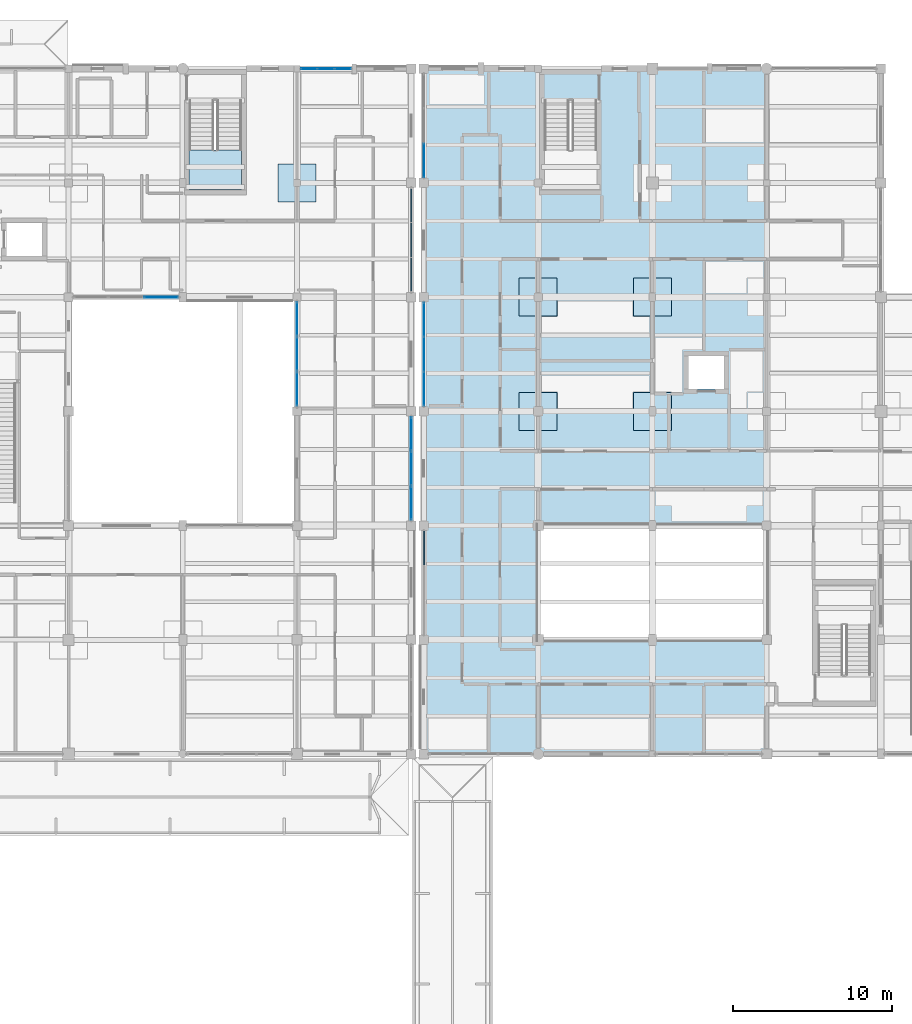
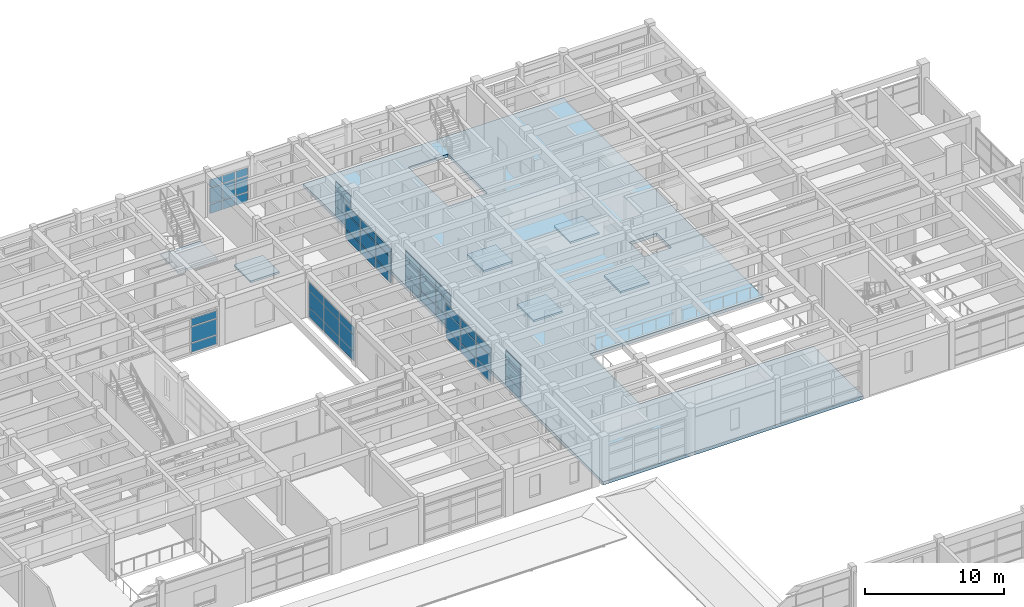
# One storey, part 67 of 110: 54 plates, 7 slabs, 9 elements without a shape of their own.
"""IFC4 building model written with IfcOpenShell, lengths in metres."""

from ifc_helpers import new_model, si_unit, direction, frame, origin, origin_2d, place, context, subcontext, project, spatial, polyline, rectangle, outline, extrude, material, layer, layer_set, type_object, element, aggregate, save


model = new_model("IFC4")

# Units and contexts
model_context = context("Model", 3, precision=1e-05, world=origin(), true_north=direction((0.0, 1.0)))
body_context = subcontext(model_context, "Body", "Model", "MODEL_VIEW")
ifc_project = project(units=[si_unit("LENGTHUNIT", "METRE"), si_unit("AREAUNIT", "SQUARE_METRE"), si_unit("VOLUMEUNIT", "CUBIC_METRE"), si_unit("PLANEANGLEUNIT", "RADIAN"), si_unit("MASSUNIT", "GRAM", prefix="KILO")], contexts=[model_context])

# Site, building, storey
site_placement = place(None, origin())
site = spatial("IfcSite", under=ifc_project, at=site_placement, CompositionType="ELEMENT")
building_placement = place(site_placement, origin())
building = spatial("IfcBuilding", under=site, at=building_placement, Name="Steenspoor Specialist Clinic", CompositionType="ELEMENT")
storey_placement = place(building_placement, frame((0.0, 0.0, 4.800048828125)))
storey = spatial("IfcBuildingStorey", under=building, at=storey_placement, Name="L01", CompositionType="ELEMENT", Elevation=4.800048828125)

# Curtain wall, plates
ifc_material_1 = material(Name="Thermally broken aluminium and low-emissivity glass", Category="aluminium")
curtain_wall_type_1 = type_object("IfcCurtainWallType", Name="CW-STR-220X415", PredefinedType="USERDEFINED", material=ifc_material_1)
curtain_wall_1_placement = place(storey_placement, origin())
curtain_wall_1 = element("IfcCurtainWall", 1, at=curtain_wall_1_placement, inside=storey, type_object=curtain_wall_type_1, Name="Unitised Curtain Wall CW-V4-L01-072", ObjectType="UNITISED GLAZING", PredefinedType="USERDEFINED")
ifc_material_2 = material(Name="Double low-emissivity insulated glass", Category="glass")
ifc_layer_1 = layer(ifc_material_2, 0.035888671875)
ifc_layer_set_1 = layer_set([ifc_layer_1], Name="Double low-emissivity insulated glass")
plate_type_1 = type_object("IfcPlateType", Name="CW-PAN-GL36", PredefinedType="CURTAIN_PANEL", material=ifc_layer_set_1)
plate_1_placement = place(storey_placement, frame((117.199951171875, 85.330078125, 0.06494140625), z_axis=(0.0, 0.0, 1.0), x_axis=(0.0, -1.0, 0.0)))
plate_1 = element("IfcPlate", 2, at=plate_1_placement, type_object=plate_type_1, Name="CW-24 panel 1.1", PredefinedType="CURTAIN_PANEL", context=body_context, shape_type="SweptSolid", body=[
    extrude(rectangle(XDim=2.080078125, YDim=0.035888671875, at=origin_2d()), origin(), (0.0, 0.0, 1.0), 0.802490234375),
])
plate_2_placement = place(storey_placement, frame((117.199951171875, 85.330078125, 0.9326171875), z_axis=(0.0, 0.0, 1.0), x_axis=(0.0, -1.0, 0.0)))
plate_2 = element("IfcPlate", 3, at=plate_2_placement, type_object=plate_type_1, Name="CW-24 panel 1.2", PredefinedType="CURTAIN_PANEL", context=body_context, shape_type="SweptSolid", body=[
    extrude(rectangle(XDim=2.080078125, YDim=0.035888671875, at=origin_2d()), origin(), (0.0, 0.0, 1.0), 1.385009765625),
])
plate_3_placement = place(storey_placement, frame((117.199951171875, 85.330078125, 2.38232421875), z_axis=(0.0, 0.0, 1.0), x_axis=(0.0, -1.0, 0.0)))
plate_3 = element("IfcPlate", 4, at=plate_3_placement, type_object=plate_type_1, Name="CW-24 panel 1.3", PredefinedType="CURTAIN_PANEL", context=body_context, shape_type="SweptSolid", body=[
    extrude(rectangle(XDim=2.080078125, YDim=0.035888671875, at=origin_2d()), origin(), (0.0, 0.0, 1.0), 0.6826171875),
])
plate_4_placement = place(storey_placement, frame((117.199951171875, 83.14990234375, 0.06494140625), z_axis=(0.0, 0.0, 1.0), x_axis=(0.0, -1.0, 0.0)))
plate_4 = element("IfcPlate", 5, at=plate_4_placement, type_object=plate_type_1, Name="CW-24 panel 2.1", PredefinedType="CURTAIN_PANEL", context=body_context, shape_type="SweptSolid", body=[
    extrude(rectangle(XDim=2.1201171875, YDim=0.035888671875, at=origin_2d()), origin(), (0.0, 0.0, 1.0), 0.802490234375),
])
plate_5_placement = place(storey_placement, frame((117.199951171875, 83.14990234375, 0.9326171875), z_axis=(0.0, 0.0, 1.0), x_axis=(0.0, -1.0, 0.0)))
plate_5 = element("IfcPlate", 6, at=plate_5_placement, type_object=plate_type_1, Name="CW-24 panel 2.2", PredefinedType="CURTAIN_PANEL", context=body_context, shape_type="SweptSolid", body=[
    extrude(rectangle(XDim=2.1201171875, YDim=0.035888671875, at=origin_2d()), origin(), (0.0, 0.0, 1.0), 1.385009765625),
])
plate_6_placement = place(storey_placement, frame((117.199951171875, 83.14990234375, 2.38232421875), z_axis=(0.0, 0.0, 1.0), x_axis=(0.0, -1.0, 0.0)))
plate_6 = element("IfcPlate", 7, at=plate_6_placement, type_object=plate_type_1, Name="CW-24 panel 2.3", PredefinedType="CURTAIN_PANEL", context=body_context, shape_type="SweptSolid", body=[
    extrude(rectangle(XDim=2.1201171875, YDim=0.035888671875, at=origin_2d()), origin(), (0.0, 0.0, 1.0), 0.6826171875),
])
plate_7_placement = place(storey_placement, frame((117.199951171875, 80.969970703125, 0.06494140625), z_axis=(0.0, 0.0, 1.0), x_axis=(0.0, -1.0, 0.0)))
plate_7 = element("IfcPlate", 8, at=plate_7_placement, type_object=plate_type_1, Name="CW-24 panel 3.1", PredefinedType="CURTAIN_PANEL", context=body_context, shape_type="SweptSolid", body=[
    extrude(rectangle(XDim=2.080078125, YDim=0.035888671875, at=origin_2d()), origin(), (0.0, 0.0, 1.0), 0.802490234375),
])
plate_8_placement = place(storey_placement, frame((117.199951171875, 80.969970703125, 0.9326171875), z_axis=(0.0, 0.0, 1.0), x_axis=(0.0, -1.0, 0.0)))
plate_8 = element("IfcPlate", 9, at=plate_8_placement, type_object=plate_type_1, Name="CW-24 panel 3.2", PredefinedType="CURTAIN_PANEL", context=body_context, shape_type="SweptSolid", body=[
    extrude(rectangle(XDim=2.080078125, YDim=0.035888671875, at=origin_2d()), origin(), (0.0, 0.0, 1.0), 1.385009765625),
])
plate_9_placement = place(storey_placement, frame((117.199951171875, 80.969970703125, 2.38232421875), z_axis=(0.0, 0.0, 1.0), x_axis=(0.0, -1.0, 0.0)))
plate_9 = element("IfcPlate", 10, at=plate_9_placement, type_object=plate_type_1, Name="CW-24 panel 3.3", PredefinedType="CURTAIN_PANEL", context=body_context, shape_type="SweptSolid", body=[
    extrude(rectangle(XDim=2.080078125, YDim=0.035888671875, at=origin_2d()), origin(), (0.0, 0.0, 1.0), 0.6826171875),
])
aggregate(curtain_wall_1, [plate_1, plate_2, plate_3, plate_4, plate_5, plate_6, plate_7, plate_8, plate_9])

curtain_wall_type_2 = type_object("IfcCurtainWallType", Name="CW-L00-480X415", PredefinedType="USERDEFINED", material=ifc_material_1)
curtain_wall_2_placement = place(storey_placement, origin())
curtain_wall_2 = element("IfcCurtainWall", 11, at=curtain_wall_2_placement, inside=storey, type_object=curtain_wall_type_2, Name="Unitised Curtain Wall CW-V4-L01-078", ObjectType="UNITISED GLAZING", PredefinedType="USERDEFINED")
plate_10_placement = place(storey_placement, frame((110.0, 88.157470703125, 0.059814453125), z_axis=(0.0, 0.0, 1.0), x_axis=(0.0, 1.0, 0.0)))
plate_10 = element("IfcPlate", 12, at=plate_10_placement, type_object=plate_type_1, Name="CW-06 panel 1.1", PredefinedType="CURTAIN_PANEL", context=body_context, shape_type="SweptSolid", body=[
    extrude(rectangle(XDim=2.10498046875, YDim=0.035888671875, at=origin_2d()), origin(), (0.0, 0.0, 1.0), 0.81005859375),
])
plate_11_placement = place(storey_placement, frame((110.0, 88.157470703125, 0.93017578125), z_axis=(0.0, 0.0, 1.0), x_axis=(0.0, 1.0, 0.0)))
plate_11 = element("IfcPlate", 13, at=plate_11_placement, type_object=plate_type_1, Name="CW-06 panel 1.2", PredefinedType="CURTAIN_PANEL", context=body_context, shape_type="SweptSolid", body=[
    extrude(rectangle(XDim=2.10498046875, YDim=0.035888671875, at=origin_2d()), origin(), (0.0, 0.0, 1.0), 1.389892578125),
])
plate_12_placement = place(storey_placement, frame((110.0, 88.157470703125, 2.3798828125), z_axis=(0.0, 0.0, 1.0), x_axis=(0.0, 1.0, 0.0)))
plate_12 = element("IfcPlate", 14, at=plate_12_placement, type_object=plate_type_1, Name="CW-06 panel 1.3", PredefinedType="CURTAIN_PANEL", context=body_context, shape_type="SweptSolid", body=[
    extrude(rectangle(XDim=2.10498046875, YDim=0.035888671875, at=origin_2d()), origin(), (0.0, 0.0, 1.0), 0.68994140625),
])
plate_13_placement = place(storey_placement, frame((110.0, 90.362548828125, 0.059814453125), z_axis=(0.0, 0.0, 1.0), x_axis=(0.0, 1.0, 0.0)))
plate_13 = element("IfcPlate", 15, at=plate_13_placement, type_object=plate_type_1, Name="CW-06 panel 2.1", PredefinedType="CURTAIN_PANEL", context=body_context, shape_type="SweptSolid", body=[
    extrude(rectangle(XDim=2.14501953125, YDim=0.035888671875, at=origin_2d()), origin(), (0.0, 0.0, 1.0), 0.81005859375),
])
plate_14_placement = place(storey_placement, frame((110.0, 90.362548828125, 0.93017578125), z_axis=(0.0, 0.0, 1.0), x_axis=(0.0, 1.0, 0.0)))
plate_14 = element("IfcPlate", 16, at=plate_14_placement, type_object=plate_type_1, Name="CW-06 panel 2.2", PredefinedType="CURTAIN_PANEL", context=body_context, shape_type="SweptSolid", body=[
    extrude(rectangle(XDim=2.14501953125, YDim=0.035888671875, at=origin_2d()), origin(), (0.0, 0.0, 1.0), 1.389892578125),
])
plate_15_placement = place(storey_placement, frame((110.0, 90.362548828125, 2.3798828125), z_axis=(0.0, 0.0, 1.0), x_axis=(0.0, 1.0, 0.0)))
plate_15 = element("IfcPlate", 17, at=plate_15_placement, type_object=plate_type_1, Name="CW-06 panel 2.3", PredefinedType="CURTAIN_PANEL", context=body_context, shape_type="SweptSolid", body=[
    extrude(rectangle(XDim=2.14501953125, YDim=0.035888671875, at=origin_2d()), origin(), (0.0, 0.0, 1.0), 0.68994140625),
])
plate_16_placement = place(storey_placement, frame((110.0, 92.5673828125, 0.059814453125), z_axis=(0.0, 0.0, 1.0), x_axis=(0.0, 1.0, 0.0)))
plate_16 = element("IfcPlate", 18, at=plate_16_placement, type_object=plate_type_1, Name="CW-06 panel 3.1", PredefinedType="CURTAIN_PANEL", context=body_context, shape_type="SweptSolid", body=[
    extrude(rectangle(XDim=2.10498046875, YDim=0.035888671875, at=origin_2d()), origin(), (0.0, 0.0, 1.0), 0.81005859375),
])
plate_17_placement = place(storey_placement, frame((110.0, 92.5673828125, 0.93017578125), z_axis=(0.0, 0.0, 1.0), x_axis=(0.0, 1.0, 0.0)))
plate_17 = element("IfcPlate", 19, at=plate_17_placement, type_object=plate_type_1, Name="CW-06 panel 3.2", PredefinedType="CURTAIN_PANEL", context=body_context, shape_type="SweptSolid", body=[
    extrude(rectangle(XDim=2.10498046875, YDim=0.035888671875, at=origin_2d()), origin(), (0.0, 0.0, 1.0), 1.389892578125),
])
plate_18_placement = place(storey_placement, frame((110.0, 92.5673828125, 2.3798828125), z_axis=(0.0, 0.0, 1.0), x_axis=(0.0, 1.0, 0.0)))
plate_18 = element("IfcPlate", 20, at=plate_18_placement, type_object=plate_type_1, Name="CW-06 panel 3.3", PredefinedType="CURTAIN_PANEL", context=body_context, shape_type="SweptSolid", body=[
    extrude(rectangle(XDim=2.10498046875, YDim=0.035888671875, at=origin_2d()), origin(), (0.0, 0.0, 1.0), 0.68994140625),
])
aggregate(curtain_wall_2, [plate_10, plate_11, plate_12, plate_13, plate_14, plate_15, plate_16, plate_17, plate_18])

curtain_wall_type_3 = type_object("IfcCurtainWallType", Name="CW-TYP-660X355", PredefinedType="USERDEFINED", material=ifc_material_1)
curtain_wall_3_placement = place(storey_placement, origin())
curtain_wall_3 = element("IfcCurtainWall", 21, at=curtain_wall_3_placement, inside=storey, type_object=curtain_wall_type_3, Name="Unitised Curtain Wall CW-V6-L01-177", ObjectType="UNITISED GLAZING", PredefinedType="USERDEFINED")
plate_19_placement = place(storey_placement, frame((118.0, 88.166259765625, 0.06494140625), z_axis=(0.0, 0.0, 1.0), x_axis=(0.0, 1.0, 0.0)))
plate_19 = element("IfcPlate", 22, at=plate_19_placement, type_object=plate_type_1, Name="CW-09 panel 1.1", PredefinedType="CURTAIN_PANEL", context=body_context, shape_type="SweptSolid", body=[
    extrude(rectangle(XDim=2.1025390625, YDim=0.035888671875, at=origin_2d()), origin(), (0.0, 0.0, 1.0), 0.802490234375),
])
plate_20_placement = place(storey_placement, frame((118.0, 88.166259765625, 0.9326171875), z_axis=(0.0, 0.0, 1.0), x_axis=(0.0, 1.0, 0.0)))
plate_20 = element("IfcPlate", 23, at=plate_20_placement, type_object=plate_type_1, Name="CW-09 panel 1.2", PredefinedType="CURTAIN_PANEL", context=body_context, shape_type="SweptSolid", body=[
    extrude(rectangle(XDim=2.1025390625, YDim=0.035888671875, at=origin_2d()), origin(), (0.0, 0.0, 1.0), 1.385009765625),
])
plate_21_placement = place(storey_placement, frame((118.0, 88.166259765625, 2.38232421875), z_axis=(0.0, 0.0, 1.0), x_axis=(0.0, 1.0, 0.0)))
plate_21 = element("IfcPlate", 24, at=plate_21_placement, type_object=plate_type_1, Name="CW-09 panel 1.3", PredefinedType="CURTAIN_PANEL", context=body_context, shape_type="SweptSolid", body=[
    extrude(rectangle(XDim=2.1025390625, YDim=0.035888671875, at=origin_2d()), origin(), (0.0, 0.0, 1.0), 0.6826171875),
])
plate_22_placement = place(storey_placement, frame((118.0, 90.35009765625, 0.06494140625), z_axis=(0.0, 0.0, 1.0), x_axis=(0.0, 1.0, 0.0)))
plate_22 = element("IfcPlate", 25, at=plate_22_placement, type_object=plate_type_1, Name="CW-09 panel 2.1", PredefinedType="CURTAIN_PANEL", context=body_context, shape_type="SweptSolid", body=[
    extrude(rectangle(XDim=2.135009765625, YDim=0.035888671875, at=origin_2d()), origin(), (0.0, 0.0, 1.0), 0.802490234375),
])
plate_23_placement = place(storey_placement, frame((118.0, 90.35009765625, 0.9326171875), z_axis=(0.0, 0.0, 1.0), x_axis=(0.0, 1.0, 0.0)))
plate_23 = element("IfcPlate", 26, at=plate_23_placement, type_object=plate_type_1, Name="CW-09 panel 2.2", PredefinedType="CURTAIN_PANEL", context=body_context, shape_type="SweptSolid", body=[
    extrude(rectangle(XDim=2.135009765625, YDim=0.035888671875, at=origin_2d()), origin(), (0.0, 0.0, 1.0), 1.385009765625),
])
plate_24_placement = place(storey_placement, frame((118.0, 90.35009765625, 2.38232421875), z_axis=(0.0, 0.0, 1.0), x_axis=(0.0, 1.0, 0.0)))
plate_24 = element("IfcPlate", 27, at=plate_24_placement, type_object=plate_type_1, Name="CW-09 panel 2.3", PredefinedType="CURTAIN_PANEL", context=body_context, shape_type="SweptSolid", body=[
    extrude(rectangle(XDim=2.135009765625, YDim=0.035888671875, at=origin_2d()), origin(), (0.0, 0.0, 1.0), 0.6826171875),
])
plate_25_placement = place(storey_placement, frame((118.0, 92.53369140625, 0.06494140625), z_axis=(0.0, 0.0, 1.0), x_axis=(0.0, 1.0, 0.0)))
plate_25 = element("IfcPlate", 28, at=plate_25_placement, type_object=plate_type_1, Name="CW-09 panel 3.1", PredefinedType="CURTAIN_PANEL", context=body_context, shape_type="SweptSolid", body=[
    extrude(rectangle(XDim=2.1025390625, YDim=0.035888671875, at=origin_2d()), origin(), (0.0, 0.0, 1.0), 0.802490234375),
])
plate_26_placement = place(storey_placement, frame((118.0, 92.53369140625, 0.9326171875), z_axis=(0.0, 0.0, 1.0), x_axis=(0.0, 1.0, 0.0)))
plate_26 = element("IfcPlate", 29, at=plate_26_placement, type_object=plate_type_1, Name="CW-09 panel 3.2", PredefinedType="CURTAIN_PANEL", context=body_context, shape_type="SweptSolid", body=[
    extrude(rectangle(XDim=2.1025390625, YDim=0.035888671875, at=origin_2d()), origin(), (0.0, 0.0, 1.0), 1.385009765625),
])
plate_27_placement = place(storey_placement, frame((118.0, 92.53369140625, 2.38232421875), z_axis=(0.0, 0.0, 1.0), x_axis=(0.0, 1.0, 0.0)))
plate_27 = element("IfcPlate", 30, at=plate_27_placement, type_object=plate_type_1, Name="CW-09 panel 3.3", PredefinedType="CURTAIN_PANEL", context=body_context, shape_type="SweptSolid", body=[
    extrude(rectangle(XDim=2.1025390625, YDim=0.035888671875, at=origin_2d()), origin(), (0.0, 0.0, 1.0), 0.6826171875),
])
aggregate(curtain_wall_3, [plate_19, plate_20, plate_21, plate_22, plate_23, plate_24, plate_25, plate_26, plate_27])

curtain_wall_type_4 = type_object("IfcCurtainWallType", Name="CW-WLK-360X340", PredefinedType="USERDEFINED", material=ifc_material_1)
curtain_wall_4_placement = place(storey_placement, origin())
curtain_wall_4 = element("IfcCurtainWall", 31, at=curtain_wall_4_placement, inside=storey, type_object=curtain_wall_type_4, Name="Unitised Curtain Wall CW-V4-L01-070", ObjectType="UNITISED GLAZING", PredefinedType="USERDEFINED")
ifc_material_3 = material(Name="Triple acoustic laminated low-emissivity glass", Category="glass")
ifc_layer_2 = layer(ifc_material_3, 0.048095703125)
ifc_layer_set_2 = layer_set([ifc_layer_2], Name="Triple acoustic laminated low-emissivity glass")
plate_type_2 = type_object("IfcPlateType", Name="CW-PAN-GL48", PredefinedType="CURTAIN_PANEL", material=ifc_layer_set_2)
plate_28_placement = place(storey_placement, frame((110.756591796875, 108.35009765625, 0.080078125), z_axis=(0.0, 0.0, 1.0), x_axis=(1.0, 0.0, 0.0)))
plate_28 = element("IfcPlate", 32, at=plate_28_placement, type_object=plate_type_2, Name="CW-22 panel 1.1", PredefinedType="CURTAIN_PANEL", context=body_context, shape_type="SweptSolid", body=[
    extrude(rectangle(XDim=0.993408203125, YDim=0.048095703125, at=origin_2d()), origin(), (0.0, 0.0, 1.0), 0.780029296875),
])
plate_29_placement = place(storey_placement, frame((110.756591796875, 108.35009765625, 0.93994140625), z_axis=(0.0, 0.0, 1.0), x_axis=(1.0, 0.0, 0.0)))
plate_29 = element("IfcPlate", 33, at=plate_29_placement, type_object=plate_type_2, Name="CW-22 panel 1.2", PredefinedType="CURTAIN_PANEL", context=body_context, shape_type="SweptSolid", body=[
    extrude(rectangle(XDim=0.993408203125, YDim=0.048095703125, at=origin_2d()), origin(), (0.0, 0.0, 1.0), 1.3701171875),
])
plate_30_placement = place(storey_placement, frame((110.756591796875, 108.35009765625, 2.39013671875), z_axis=(0.0, 0.0, 1.0), x_axis=(1.0, 0.0, 0.0)))
plate_30 = element("IfcPlate", 34, at=plate_30_placement, type_object=plate_type_2, Name="CW-22 panel 1.3", PredefinedType="CURTAIN_PANEL", context=body_context, shape_type="SweptSolid", body=[
    extrude(rectangle(XDim=0.993408203125, YDim=0.048095703125, at=origin_2d()), origin(), (0.0, 0.0, 1.0), 0.659912109375),
])
plate_31_placement = place(storey_placement, frame((111.824951171875, 108.35009765625, 0.080078125), z_axis=(0.0, 0.0, 1.0), x_axis=(1.0, 0.0, 0.0)))
plate_31 = element("IfcPlate", 35, at=plate_31_placement, type_object=plate_type_2, Name="CW-22 panel 2.1", PredefinedType="CURTAIN_PANEL", context=body_context, shape_type="SweptSolid", body=[
    extrude(rectangle(XDim=1.0234375, YDim=0.048095703125, at=origin_2d()), origin(), (0.0, 0.0, 1.0), 0.780029296875),
])
plate_32_placement = place(storey_placement, frame((111.824951171875, 108.35009765625, 0.93994140625), z_axis=(0.0, 0.0, 1.0), x_axis=(1.0, 0.0, 0.0)))
plate_32 = element("IfcPlate", 36, at=plate_32_placement, type_object=plate_type_2, Name="CW-22 panel 2.2", PredefinedType="CURTAIN_PANEL", context=body_context, shape_type="SweptSolid", body=[
    extrude(rectangle(XDim=1.0234375, YDim=0.048095703125, at=origin_2d()), origin(), (0.0, 0.0, 1.0), 1.3701171875),
])
plate_33_placement = place(storey_placement, frame((111.824951171875, 108.35009765625, 2.39013671875), z_axis=(0.0, 0.0, 1.0), x_axis=(1.0, 0.0, 0.0)))
plate_33 = element("IfcPlate", 37, at=plate_33_placement, type_object=plate_type_2, Name="CW-22 panel 2.3", PredefinedType="CURTAIN_PANEL", context=body_context, shape_type="SweptSolid", body=[
    extrude(rectangle(XDim=1.0234375, YDim=0.048095703125, at=origin_2d()), origin(), (0.0, 0.0, 1.0), 0.659912109375),
])
plate_34_placement = place(storey_placement, frame((112.893310546875, 108.35009765625, 0.080078125), z_axis=(0.0, 0.0, 1.0), x_axis=(1.0, 0.0, 0.0)))
plate_34 = element("IfcPlate", 38, at=plate_34_placement, type_object=plate_type_2, Name="CW-22 panel 3.1", PredefinedType="CURTAIN_PANEL", context=body_context, shape_type="SweptSolid", body=[
    extrude(rectangle(XDim=0.993408203125, YDim=0.048095703125, at=origin_2d()), origin(), (0.0, 0.0, 1.0), 0.780029296875),
])
plate_35_placement = place(storey_placement, frame((112.893310546875, 108.35009765625, 0.93994140625), z_axis=(0.0, 0.0, 1.0), x_axis=(1.0, 0.0, 0.0)))
plate_35 = element("IfcPlate", 39, at=plate_35_placement, type_object=plate_type_2, Name="CW-22 panel 3.2", PredefinedType="CURTAIN_PANEL", context=body_context, shape_type="SweptSolid", body=[
    extrude(rectangle(XDim=0.993408203125, YDim=0.048095703125, at=origin_2d()), origin(), (0.0, 0.0, 1.0), 1.3701171875),
])
plate_36_placement = place(storey_placement, frame((112.893310546875, 108.35009765625, 2.39013671875), z_axis=(0.0, 0.0, 1.0), x_axis=(1.0, 0.0, 0.0)))
plate_36 = element("IfcPlate", 40, at=plate_36_placement, type_object=plate_type_2, Name="CW-22 panel 3.3", PredefinedType="CURTAIN_PANEL", context=body_context, shape_type="SweptSolid", body=[
    extrude(rectangle(XDim=0.993408203125, YDim=0.048095703125, at=origin_2d()), origin(), (0.0, 0.0, 1.0), 0.659912109375),
])
aggregate(curtain_wall_4, [plate_28, plate_29, plate_30, plate_31, plate_32, plate_33, plate_34, plate_35, plate_36])

curtain_wall_type_5 = type_object("IfcCurtainWallType", Name="CW-L00-360X415", PredefinedType="USERDEFINED", material=ifc_material_1)
curtain_wall_5_placement = place(storey_placement, origin())
curtain_wall_5 = element("IfcCurtainWall", 41, at=curtain_wall_5_placement, inside=storey, type_object=curtain_wall_type_5, Name="Unitised Curtain Wall CW-V4-L01-079", ObjectType="UNITISED GLAZING", PredefinedType="USERDEFINED")
plate_37_placement = place(storey_placement, frame((101.438232421875, 93.949951171875, 0.08984375), z_axis=(0.0, 0.0, 1.0), x_axis=(-1.0, 0.0, 0.0)))
plate_37 = element("IfcPlate", 42, at=plate_37_placement, type_object=plate_type_2, Name="CW-07 panel 1.1", PredefinedType="CURTAIN_PANEL", context=body_context, shape_type="SweptSolid", body=[
    extrude(rectangle(XDim=2.11328125, YDim=0.048095703125, at=origin_2d()), origin(), (0.0, 0.0, 1.0), 0.764892578125),
])
plate_38_placement = place(storey_placement, frame((101.438232421875, 93.949951171875, 0.94482421875), z_axis=(0.0, 0.0, 1.0), x_axis=(-1.0, 0.0, 0.0)))
plate_38 = element("IfcPlate", 43, at=plate_38_placement, type_object=plate_type_2, Name="CW-07 panel 1.2", PredefinedType="CURTAIN_PANEL", context=body_context, shape_type="SweptSolid", body=[
    extrude(rectangle(XDim=2.11328125, YDim=0.048095703125, at=origin_2d()), origin(), (0.0, 0.0, 1.0), 1.360107421875),
])
plate_39_placement = place(storey_placement, frame((101.438232421875, 93.949951171875, 2.39501953125), z_axis=(0.0, 0.0, 1.0), x_axis=(-1.0, 0.0, 0.0)))
plate_39 = element("IfcPlate", 44, at=plate_39_placement, type_object=plate_type_2, Name="CW-07 panel 1.3", PredefinedType="CURTAIN_PANEL", context=body_context, shape_type="SweptSolid", body=[
    extrude(rectangle(XDim=2.11328125, YDim=0.048095703125, at=origin_2d()), origin(), (0.0, 0.0, 1.0), 0.64501953125),
])
aggregate(curtain_wall_5, [plate_37, plate_38, plate_39])

curtain_wall_type_6 = type_object("IfcCurtainWallType", Name="CW-TYP-650X355", PredefinedType="USERDEFINED", material=ifc_material_1)
curtain_wall_6_placement = place(storey_placement, origin())
curtain_wall_6 = element("IfcCurtainWall", 45, at=curtain_wall_6_placement, inside=storey, type_object=curtain_wall_type_6, Name="Unitised Curtain Wall CW-V6-L01-178", ObjectType="UNITISED GLAZING", PredefinedType="USERDEFINED")
plate_40_placement = place(storey_placement, frame((118.0, 102.56494140625, 0.059814453125), z_axis=(0.0, 0.0, 1.0), x_axis=(0.0, 1.0, 0.0)))
plate_40 = element("IfcPlate", 46, at=plate_40_placement, type_object=plate_type_2, Name="CW-10 panel 1.1", PredefinedType="CURTAIN_PANEL", context=body_context, shape_type="SweptSolid", body=[
    extrude(rectangle(XDim=2.110107421875, YDim=0.048095703125, at=origin_2d()), origin(), (0.0, 0.0, 1.0), 0.81005859375),
])
plate_41_placement = place(storey_placement, frame((118.0, 102.56494140625, 0.93017578125), z_axis=(0.0, 0.0, 1.0), x_axis=(0.0, 1.0, 0.0)))
plate_41 = element("IfcPlate", 47, at=plate_41_placement, type_object=plate_type_2, Name="CW-10 panel 1.2", PredefinedType="CURTAIN_PANEL", context=body_context, shape_type="SweptSolid", body=[
    extrude(rectangle(XDim=2.110107421875, YDim=0.048095703125, at=origin_2d()), origin(), (0.0, 0.0, 1.0), 1.389892578125),
])
plate_42_placement = place(storey_placement, frame((118.0, 102.56494140625, 2.3798828125), z_axis=(0.0, 0.0, 1.0), x_axis=(0.0, 1.0, 0.0)))
plate_42 = element("IfcPlate", 48, at=plate_42_placement, type_object=plate_type_2, Name="CW-10 panel 1.3", PredefinedType="CURTAIN_PANEL", context=body_context, shape_type="SweptSolid", body=[
    extrude(rectangle(XDim=2.110107421875, YDim=0.048095703125, at=origin_2d()), origin(), (0.0, 0.0, 1.0), 0.68994140625),
])
aggregate(curtain_wall_6, [plate_40, plate_41, plate_42])

curtain_wall_type_7 = type_object("IfcCurtainWallType", Name="CW-STR-220X355", PredefinedType="USERDEFINED", material=ifc_material_1)
curtain_wall_7_placement = place(storey_placement, origin())
curtain_wall_7 = element("IfcCurtainWall", 49, at=curtain_wall_7_placement, inside=storey, type_object=curtain_wall_type_7, Name="Unitised Curtain Wall CW-V4-L01-071", ObjectType="UNITISED GLAZING", PredefinedType="USERDEFINED")
ifc_material_4 = material(Name="Insulated glazed ceramic spandrel panel", Category="glass")
ifc_layer_3 = layer(ifc_material_4, 0.074951171875)
ifc_layer_set_3 = layer_set([ifc_layer_3], Name="Insulated glazed ceramic spandrel panel")
plate_type_3 = type_object("IfcPlateType", Name="CW-PAN-SP75", PredefinedType="CURTAIN_PANEL", material=ifc_layer_set_3)
plate_43_placement = place(storey_placement, frame((117.199951171875, 99.7275390625, 0.070068359375), z_axis=(0.0, 0.0, 1.0), x_axis=(0.0, -1.0, 0.0)))
plate_43 = element("IfcPlate", 50, at=plate_43_placement, type_object=plate_type_3, Name="CW-23 panel 1.1", PredefinedType="CURTAIN_PANEL", context=body_context, shape_type="SweptSolid", body=[
    extrude(rectangle(XDim=2.06494140625, YDim=0.074951171875, at=origin_2d()), origin(), (0.0, 0.0, 1.0), 0.794921875),
])
plate_44_placement = place(storey_placement, frame((117.199951171875, 99.7275390625, 0.93505859375), z_axis=(0.0, 0.0, 1.0), x_axis=(0.0, -1.0, 0.0)))
plate_44 = element("IfcPlate", 51, at=plate_44_placement, type_object=plate_type_3, Name="CW-23 panel 1.2", PredefinedType="CURTAIN_PANEL", context=body_context, shape_type="SweptSolid", body=[
    extrude(rectangle(XDim=2.06494140625, YDim=0.074951171875, at=origin_2d()), origin(), (0.0, 0.0, 1.0), 1.3798828125),
])
plate_45_placement = place(storey_placement, frame((117.199951171875, 99.7275390625, 2.384765625), z_axis=(0.0, 0.0, 1.0), x_axis=(0.0, -1.0, 0.0)))
plate_45 = element("IfcPlate", 52, at=plate_45_placement, type_object=plate_type_3, Name="CW-23 panel 1.3", PredefinedType="CURTAIN_PANEL", context=body_context, shape_type="SweptSolid", body=[
    extrude(rectangle(XDim=2.06494140625, YDim=0.074951171875, at=origin_2d()), origin(), (0.0, 0.0, 1.0), 0.675048828125),
])
plate_46_placement = place(storey_placement, frame((117.199951171875, 97.550048828125, 0.070068359375), z_axis=(0.0, 0.0, 1.0), x_axis=(0.0, -1.0, 0.0)))
plate_46 = element("IfcPlate", 53, at=plate_46_placement, type_object=plate_type_3, Name="CW-23 panel 2.1", PredefinedType="CURTAIN_PANEL", context=body_context, shape_type="SweptSolid", body=[
    extrude(rectangle(XDim=2.110107421875, YDim=0.074951171875, at=origin_2d()), origin(), (0.0, 0.0, 1.0), 0.794921875),
])
plate_47_placement = place(storey_placement, frame((117.199951171875, 97.550048828125, 0.93505859375), z_axis=(0.0, 0.0, 1.0), x_axis=(0.0, -1.0, 0.0)))
plate_47 = element("IfcPlate", 54, at=plate_47_placement, type_object=plate_type_3, Name="CW-23 panel 2.2", PredefinedType="CURTAIN_PANEL", context=body_context, shape_type="SweptSolid", body=[
    extrude(rectangle(XDim=2.110107421875, YDim=0.074951171875, at=origin_2d()), origin(), (0.0, 0.0, 1.0), 1.3798828125),
])
plate_48_placement = place(storey_placement, frame((117.199951171875, 97.550048828125, 2.384765625), z_axis=(0.0, 0.0, 1.0), x_axis=(0.0, -1.0, 0.0)))
plate_48 = element("IfcPlate", 55, at=plate_48_placement, type_object=plate_type_3, Name="CW-23 panel 2.3", PredefinedType="CURTAIN_PANEL", context=body_context, shape_type="SweptSolid", body=[
    extrude(rectangle(XDim=2.110107421875, YDim=0.074951171875, at=origin_2d()), origin(), (0.0, 0.0, 1.0), 0.675048828125),
])
plate_49_placement = place(storey_placement, frame((117.199951171875, 95.37255859375, 0.070068359375), z_axis=(0.0, 0.0, 1.0), x_axis=(0.0, -1.0, 0.0)))
plate_49 = element("IfcPlate", 56, at=plate_49_placement, type_object=plate_type_3, Name="CW-23 panel 3.1", PredefinedType="CURTAIN_PANEL", context=body_context, shape_type="SweptSolid", body=[
    extrude(rectangle(XDim=2.06494140625, YDim=0.074951171875, at=origin_2d()), origin(), (0.0, 0.0, 1.0), 0.794921875),
])
plate_50_placement = place(storey_placement, frame((117.199951171875, 95.37255859375, 0.93505859375), z_axis=(0.0, 0.0, 1.0), x_axis=(0.0, -1.0, 0.0)))
plate_50 = element("IfcPlate", 57, at=plate_50_placement, type_object=plate_type_3, Name="CW-23 panel 3.2", PredefinedType="CURTAIN_PANEL", context=body_context, shape_type="SweptSolid", body=[
    extrude(rectangle(XDim=2.06494140625, YDim=0.074951171875, at=origin_2d()), origin(), (0.0, 0.0, 1.0), 1.3798828125),
])
plate_51_placement = place(storey_placement, frame((117.199951171875, 95.37255859375, 2.384765625), z_axis=(0.0, 0.0, 1.0), x_axis=(0.0, -1.0, 0.0)))
plate_51 = element("IfcPlate", 58, at=plate_51_placement, type_object=plate_type_3, Name="CW-23 panel 3.3", PredefinedType="CURTAIN_PANEL", context=body_context, shape_type="SweptSolid", body=[
    extrude(rectangle(XDim=2.06494140625, YDim=0.074951171875, at=origin_2d()), origin(), (0.0, 0.0, 1.0), 0.675048828125),
])
aggregate(curtain_wall_7, [plate_43, plate_44, plate_45, plate_46, plate_47, plate_48, plate_49, plate_50, plate_51])

curtain_wall_type_8 = type_object("IfcCurtainWallType", Name="CW-L00-240X415", PredefinedType="USERDEFINED", material=ifc_material_1)
curtain_wall_8_placement = place(storey_placement, origin())
curtain_wall_8 = element("IfcCurtainWall", 59, at=curtain_wall_8_placement, inside=storey, type_object=curtain_wall_type_8, Name="Unitised Curtain Wall CW-V6-L01-176", ObjectType="UNITISED GLAZING", PredefinedType="USERDEFINED")
plate_52_placement = place(storey_placement, frame((118.0, 78.132568359375, 0.070068359375), z_axis=(0.0, 0.0, 1.0), x_axis=(0.0, 1.0, 0.0)))
plate_52 = element("IfcPlate", 60, at=plate_52_placement, type_object=plate_type_3, Name="CW-08 panel 3.1", PredefinedType="CURTAIN_PANEL", context=body_context, shape_type="SweptSolid", body=[
    extrude(rectangle(XDim=2.094970703125, YDim=0.074951171875, at=origin_2d()), origin(), (0.0, 0.0, 1.0), 0.794921875),
])
plate_53_placement = place(storey_placement, frame((118.0, 78.132568359375, 0.93505859375), z_axis=(0.0, 0.0, 1.0), x_axis=(0.0, 1.0, 0.0)))
plate_53 = element("IfcPlate", 61, at=plate_53_placement, type_object=plate_type_3, Name="CW-08 panel 3.2", PredefinedType="CURTAIN_PANEL", context=body_context, shape_type="SweptSolid", body=[
    extrude(rectangle(XDim=2.094970703125, YDim=0.074951171875, at=origin_2d()), origin(), (0.0, 0.0, 1.0), 1.3798828125),
])
plate_54_placement = place(storey_placement, frame((118.0, 78.132568359375, 2.384765625), z_axis=(0.0, 0.0, 1.0), x_axis=(0.0, 1.0, 0.0)))
plate_54 = element("IfcPlate", 62, at=plate_54_placement, type_object=plate_type_3, Name="CW-08 panel 3.3", PredefinedType="CURTAIN_PANEL", context=body_context, shape_type="SweptSolid", body=[
    extrude(rectangle(XDim=2.094970703125, YDim=0.074951171875, at=origin_2d()), origin(), (0.0, 0.0, 1.0), 0.675048828125),
])
aggregate(curtain_wall_8, [plate_52, plate_53, plate_54])

# Slabs
ifc_material_5 = material(Name="Concrete C35/45", Category="concrete")
ifc_layer_4 = layer(ifc_material_5, 0.169921875)
ifc_layer_set_4 = layer_set([ifc_layer_4], Name="Concrete C35/45")
slab_type_1 = type_object("IfcSlabType", Name="SL-DROP-170", PredefinedType="USERDEFINED", material=ifc_layer_set_4)
slab_1_placement = place(storey_placement, frame((0.0, 0.0, -0.420166015625)))
element("IfcSlab", 63, at=slab_1_placement, inside=storey, type_object=slab_type_1, Name="Column Drop Panel DROP-V4-L01-035", ObjectType="DROP PANEL", PredefinedType="USERDEFINED", context=body_context, shape_type="SweptSolid", body=[
    extrude(outline(polyline([(111.199951171875, 99.949951171875), (111.199951171875, 102.35009765625), (108.800048828125, 102.35009765625), (108.800048828125, 99.949951171875), (111.199951171875, 99.949951171875)])), origin(), (0.0, 0.0, 1.0), 0.170166015625),
])
slab_2_placement = place(storey_placement, frame((0.0, 0.0, -0.449951171875)))
element("IfcSlab", 64, at=slab_2_placement, inside=storey, type_object=slab_type_1, Name="Column Drop Panel DROP-V6-L01-131", ObjectType="DROP PANEL", PredefinedType="USERDEFINED", context=body_context, shape_type="SweptSolid", body=[
    extrude(outline(polyline([(126.39990234375, 85.550048828125), (126.39990234375, 87.949951171875), (124.0, 87.949951171875), (124.0, 85.550048828125), (126.39990234375, 85.550048828125)])), origin(), (0.0, 0.0, 1.0), 0.169921875),
])
slab_3_placement = place(storey_placement, frame((0.0, 0.0, -0.449951171875)))
element("IfcSlab", 65, at=slab_3_placement, inside=storey, type_object=slab_type_1, Name="Column Drop Panel DROP-V6-L01-132", ObjectType="DROP PANEL", PredefinedType="USERDEFINED", context=body_context, shape_type="SweptSolid", body=[
    extrude(outline(polyline([(126.39990234375, 92.75), (126.39990234375, 95.14990234375), (124.0, 95.14990234375), (124.0, 92.75), (126.39990234375, 92.75)])), origin(), (0.0, 0.0, 1.0), 0.169921875),
])
slab_4_placement = place(storey_placement, frame((0.0, 0.0, -0.449951171875)))
element("IfcSlab", 66, at=slab_4_placement, inside=storey, type_object=slab_type_1, Name="Column Drop Panel DROP-V6-L01-133", ObjectType="DROP PANEL", PredefinedType="USERDEFINED", context=body_context, shape_type="SweptSolid", body=[
    extrude(outline(polyline([(133.60009765625, 85.550048828125), (133.60009765625, 87.949951171875), (131.199951171875, 87.949951171875), (131.199951171875, 85.550048828125), (133.60009765625, 85.550048828125)])), origin(), (0.0, 0.0, 1.0), 0.169921875),
])
slab_5_placement = place(storey_placement, frame((0.0, 0.0, -0.449951171875)))
element("IfcSlab", 67, at=slab_5_placement, inside=storey, type_object=slab_type_1, Name="Column Drop Panel DROP-V6-L01-134", ObjectType="DROP PANEL", PredefinedType="USERDEFINED", context=body_context, shape_type="SweptSolid", body=[
    extrude(outline(polyline([(133.60009765625, 92.75), (133.60009765625, 95.14990234375), (131.199951171875, 95.14990234375), (131.199951171875, 92.75), (133.60009765625, 92.75)])), origin(), (0.0, 0.0, 1.0), 0.169921875),
])
ifc_layer_5 = layer(ifc_material_5, 0.280029296875)
ifc_layer_set_5 = layer_set([ifc_layer_5], Name="Concrete C35/45")
slab_type_2 = type_object("IfcSlabType", Name="SL-HEAVY-280", PredefinedType="FLOOR", material=ifc_layer_set_5)
slab_6_placement = place(storey_placement, frame((0.0, 0.0, -0.280029296875)))
element("IfcSlab", 68, at=slab_6_placement, inside=storey, type_object=slab_type_2, Name="Structural Slab SLAB-V6-L01-046", PredefinedType="FLOOR", context=body_context, shape_type="SweptSolid", body=[
    extrude(outline(polyline([(118.0, 65.14990234375), (118.0, 93.949951171875), (118.0, 108.35009765625), (139.60009765625, 108.35009765625), (139.60009765625, 79.550048828125), (125.199951171875, 79.550048828125), (125.199951171875, 72.35009765625), (139.60009765625, 72.35009765625), (139.60009765625, 65.14990234375), (118.0, 65.14990234375)]), holes=[polyline([(136.925048828125, 90.25), (134.675048828125, 90.25), (134.675048828125, 88.14990234375), (136.925048828125, 88.14990234375), (136.925048828125, 90.25)]), polyline([(128.89990234375, 106.35009765625), (125.60009765625, 106.35009765625), (125.60009765625, 100.699951171875), (128.89990234375, 100.699951171875), (128.89990234375, 106.35009765625)])]), origin(), (0.0, 0.0, 1.0), 0.280029296875),
])

# Stair, slab
stair_type = type_object("IfcStairType", Name="ST-CORE-TYP", PredefinedType="HALF_TURN_STAIR", material=ifc_material_5)
stair_placement = place(storey_placement, origin())
stair = element("IfcStair", 69, at=stair_placement, inside=storey, type_object=stair_type, Name="L01 Enclosed Exit Stair ST-V4B", PredefinedType="HALF_TURN_STAIR")
ifc_layer_6 = layer(ifc_material_5, 0.199951171875)
ifc_layer_set_6 = layer_set([ifc_layer_6], Name="Concrete C35/45")
slab_type_3 = type_object("IfcSlabType", Name="SL-LAND-200", PredefinedType="LANDING", material=ifc_layer_set_6)
slab_7_placement = place(storey_placement, frame((0.0, 0.0, 1.89990234375)))
slab_7 = element("IfcSlab", 70, at=slab_7_placement, type_object=slab_type_3, Name="ST-V4B landing 1", PredefinedType="LANDING", context=body_context, shape_type="SweptSolid", body=[
    extrude(outline(polyline([(103.199951171875, 103.215087890625), (103.199951171875, 100.699951171875), (106.5, 100.699951171875), (106.5, 103.215087890625), (103.199951171875, 103.215087890625)])), origin(), (0.0, 0.0, 1.0), 0.199951171875),
])
aggregate(stair, [slab_7])

save(model, "model.ifc")
